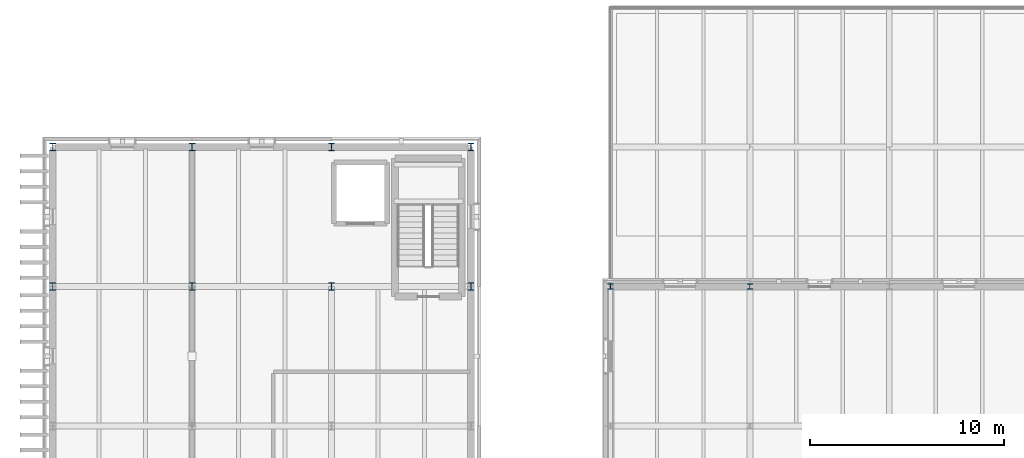
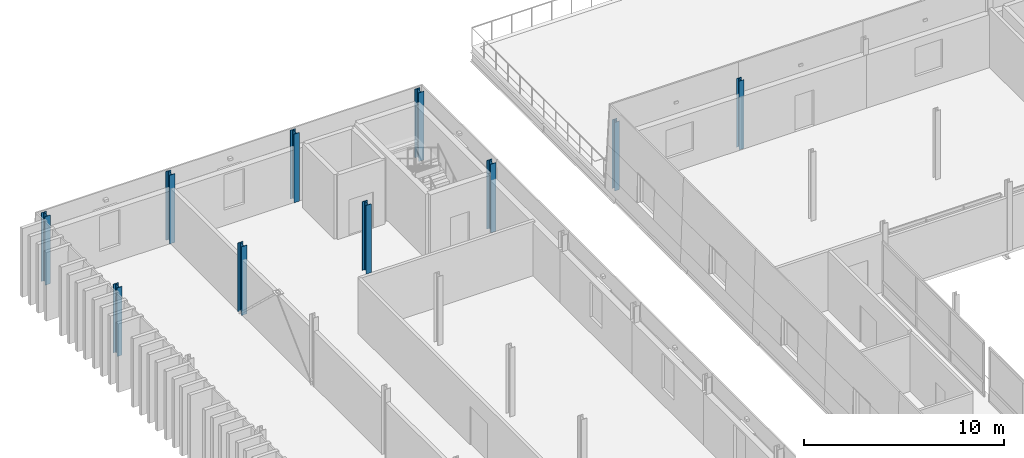
# One storey, part 5 of 66: 10 columns.
"""IFC4 building model written with IfcOpenShell, lengths in metres."""

from ifc_helpers import new_model, si_unit, direction, frame, origin, origin_2d, place, context, subcontext, project, spatial, i_section, extrude, material, material_profile, profile_set, type_object, element, save


model = new_model("IFC4")

# Units and contexts
model_context = context("Model", 3, precision=1e-05, world=origin(), true_north=direction((0.0, 1.0)))
body_context = subcontext(model_context, "Body", "Model", "MODEL_VIEW")
ifc_project = project(units=[si_unit("LENGTHUNIT", "METRE"), si_unit("AREAUNIT", "SQUARE_METRE"), si_unit("VOLUMEUNIT", "CUBIC_METRE"), si_unit("PLANEANGLEUNIT", "RADIAN"), si_unit("MASSUNIT", "GRAM", prefix="KILO")], contexts=[model_context])

# Site, building, storey
site_placement = place(None, origin())
site = spatial("IfcSite", under=ifc_project, at=site_placement, CompositionType="ELEMENT")
building_placement = place(site_placement, origin())
building = spatial("IfcBuilding", under=site, at=building_placement, Name="Narikvali Park Central Library", CompositionType="ELEMENT")
storey_placement = place(building_placement, frame((0.0, 0.0, 18.60009765625)))
storey = spatial("IfcBuildingStorey", under=building, at=storey_placement, Name="L04", CompositionType="ELEMENT", Elevation=18.60009765625)

# Columns
ifc_material = material(Name="Steel S355", Category="steel")
ifc_material_profile_1 = material_profile(ifc_material, i_section(OverallWidth=0.280029296875, OverallDepth=0.280029296875, WebThickness=0.010498046875, FlangeThickness=0.01806640625, FilletRadius=0.02392578125, at=origin_2d()), Name="HEB 280")
ifc_profile_set_1 = profile_set([ifc_material_profile_1], Name="Steel S355")
column_type_1 = type_object("IfcColumnType", Name="Steel Column HEB280", PredefinedType="COLUMN", material=ifc_profile_set_1)
for number, where, z_axis, x_axis, name in (
    (1, (28.800048828125, 100.800048828125, 0.0), (0.0, 0.0, 1.0), (1.0, 0.0, 0.0), "V4 L04 Column (28.8,100.8)"),
    (2, (36.0, 100.800048828125, 0.0), (0.0, 0.0, 1.0), (1.0, 0.0, 0.0), "V4 L04 Column (36.0,100.8)"),
):
    element("IfcColumn", number, at=place(storey_placement, frame(where, z_axis=z_axis, x_axis=x_axis)), inside=storey, type_object=column_type_1, Name=name, PredefinedType="COLUMN", context=body_context, shape_type="SweptSolid", body=[
        extrude(i_section(OverallWidth=0.280029296875, OverallDepth=0.280029296875, WebThickness=0.010498046875, FlangeThickness=0.01806640625, FilletRadius=0.02392578125, at=origin_2d()), origin(), (0.0, 0.0, 1.0), 4.199951171875),
    ])
ifc_material_profile_2 = material_profile(ifc_material, i_section(OverallWidth=0.300048828125, OverallDepth=0.39990234375, WebThickness=0.013427734375, FlangeThickness=0.02392578125, FilletRadius=0.027099609375, at=origin_2d()), Name="HEB 400")
ifc_profile_set_2 = profile_set([ifc_material_profile_2], Name="Steel S355")
column_type_2 = type_object("IfcColumnType", Name="Steel Column HEB400", PredefinedType="COLUMN", material=ifc_profile_set_2)
for number, where, z_axis, x_axis, name in (
    (3, (0.0, 100.800048828125, 0.0), (0.0, 0.0, 1.0), (1.0, 0.0, 0.0), "V5 L04 Column (0.0,100.8)"),
    (4, (0.0, 108.0, 0.0), (0.0, 0.0, 1.0), (1.0, 0.0, 0.0), "V5 L04 Column (0.0,108.0)"),
    (5, (7.199951171875, 100.800048828125, 0.0), (0.0, 0.0, 1.0), (1.0, 0.0, 0.0), "V5 L04 Column (7.2,100.8)"),
    (6, (7.199951171875, 108.0, 0.0), (0.0, 0.0, 1.0), (1.0, 0.0, 0.0), "V5 L04 Column (7.2,108.0)"),
    (7, (14.39990234375, 100.800048828125, 0.0), (0.0, 0.0, 1.0), (1.0, 0.0, 0.0), "V5 L04 Column (14.4,100.8)"),
    (8, (14.39990234375, 108.0, 0.0), (0.0, 0.0, 1.0), (1.0, 0.0, 0.0), "V5 L04 Column (14.4,108.0)"),
    (9, (21.60009765625, 100.800048828125, 0.0), (0.0, 0.0, 1.0), (1.0, 0.0, 0.0), "V5 L04 Column (21.6,100.8)"),
    (10, (21.60009765625, 108.0, 0.0), (0.0, 0.0, 1.0), (1.0, 0.0, 0.0), "V5 L04 Column (21.6,108.0)"),
):
    element("IfcColumn", number, at=place(storey_placement, frame(where, z_axis=z_axis, x_axis=x_axis)), inside=storey, type_object=column_type_2, Name=name, PredefinedType="COLUMN", context=body_context, shape_type="SweptSolid", body=[
        extrude(i_section(OverallWidth=0.300048828125, OverallDepth=0.39990234375, WebThickness=0.013427734375, FlangeThickness=0.02392578125, FilletRadius=0.027099609375, at=origin_2d()), origin(), (0.0, 0.0, 1.0), 4.199951171875),
    ])

save(model, "model.ifc")
